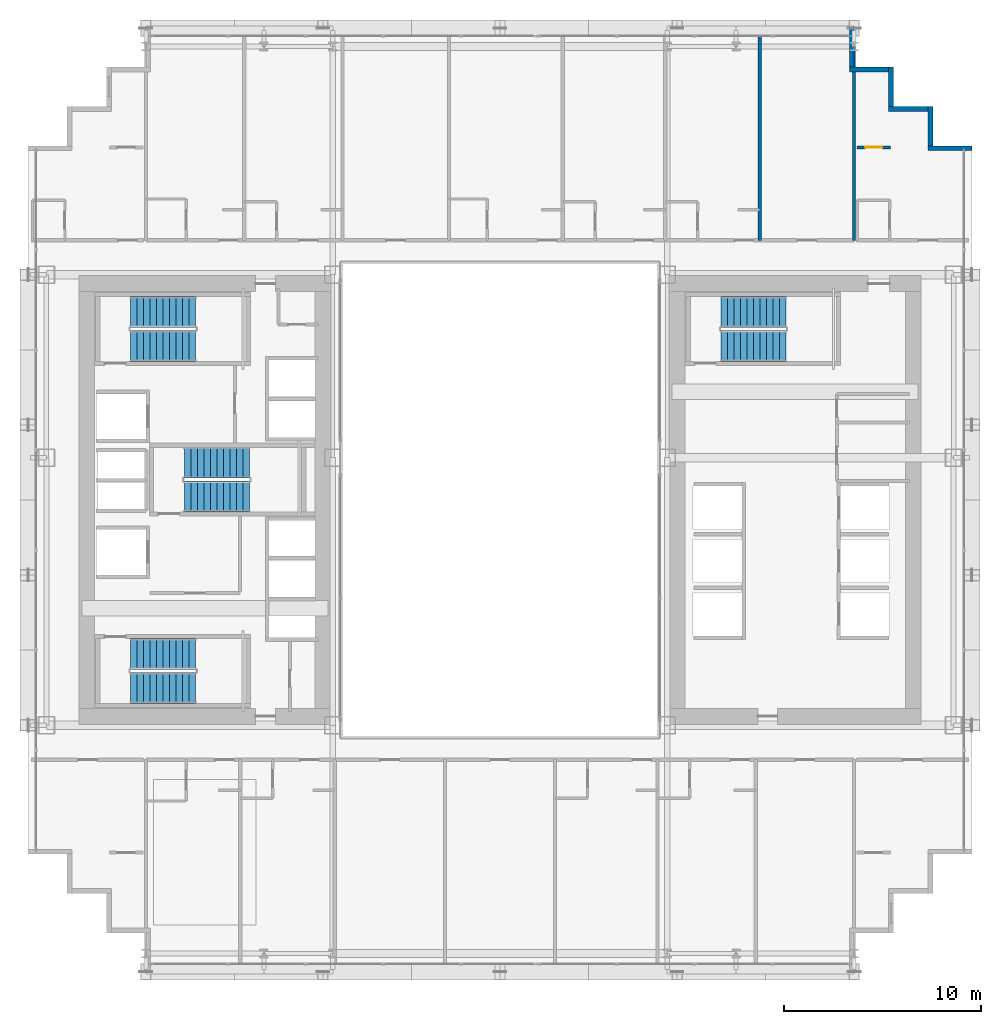
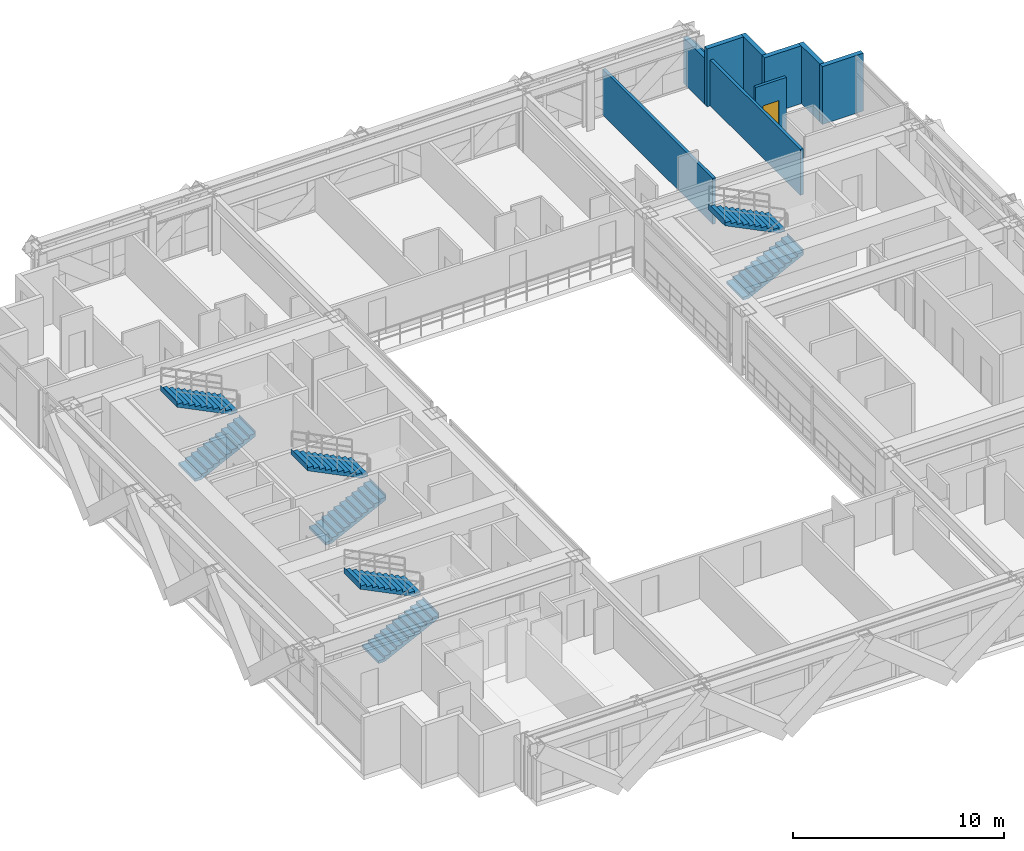
# One storey, part 37 of 41: 9 walls, 8 stair flights, 1 door, 1 opening, 4 elements without a shape of their own.
"""IFC4 building model written with IfcOpenShell, lengths in metres."""

from ifc_helpers import new_model, si_unit, direction, frame, frame_2d, origin, place, context, subcontext, project, spatial, polyline, rectangle, outline, extrude, source, transform, mapped, material, layer, layer_set, type_object, element, fill, aggregate, save


model = new_model("IFC4")

# Units and contexts
model_context = context("Model", 3, precision=1e-05, world=origin(), true_north=direction((0.0, 1.0)))
body_context = subcontext(model_context, "Body", "Model", "MODEL_VIEW")
ifc_project = project(units=[si_unit("LENGTHUNIT", "METRE"), si_unit("AREAUNIT", "SQUARE_METRE"), si_unit("VOLUMEUNIT", "CUBIC_METRE"), si_unit("PLANEANGLEUNIT", "RADIAN"), si_unit("MASSUNIT", "GRAM", prefix="KILO")], contexts=[model_context])

# Site, building, storey
site_placement = place(None, origin())
site = spatial("IfcSite", under=ifc_project, at=site_placement, CompositionType="ELEMENT")
building_placement = place(site_placement, origin())
building = spatial("IfcBuilding", under=site, at=building_placement, Name="Ocotamira Hotel", CompositionType="ELEMENT")
storey_placement = place(building_placement, frame((0.0, 0.0, 67.199951171875)))
storey = spatial("IfcBuildingStorey", under=building, at=storey_placement, Name="L16", CompositionType="ELEMENT", Elevation=67.199951171875)

# Walls
ifc_material_1 = material(Name="Precast concrete C45/55", Category="concrete")
ifc_layer_1 = layer(ifc_material_1, 0.25)
ifc_layer_set_1 = layer_set([ifc_layer_1], Name="Precast concrete C45/55")
wall_type_1 = type_object("IfcWallType", Name="WL-EXT-SER-250", PredefinedType="SOLIDWALL", material=ifc_layer_set_1)
wall_1_placement = place(storey_placement, frame((56.0, 43.875, 0.0), z_axis=(0.0, 0.0, 1.0), x_axis=(-1.0, 0.0, 0.0)))
element("IfcWall", 1, at=wall_1_placement, inside=storey, type_object=wall_type_1, Name="L16 Serrated Corner Wall 07", PredefinedType="SOLIDWALL", context=body_context, shape_type="SweptSolid", body=[
    extrude(rectangle(XDim=2.25, YDim=0.25, at=frame_2d((1.125, 0.0))), origin(), (0.0, 0.0, 1.0), 3.35009765625),
])
for number, where, z_axis, x_axis, name in (
    (2, (53.875, 44.0, 0.0), (0.0, 0.0, 1.0), (0.0, 1.0, 0.0), "L16 Serrated Corner Wall 08"),
    (3, (53.75, 45.875, 0.0), (0.0, 0.0, 1.0), (-1.0, 0.0, 0.0), "L16 Serrated Corner Wall 09"),
    (4, (51.875, 46.0, 0.0), (0.0, 0.0, 1.0), (0.0, 1.0, 0.0), "L16 Serrated Corner Wall 10"),
    (5, (51.75, 47.875, 0.0), (0.0, 0.0, 1.0), (-1.0, 0.0, 0.0), "L16 Serrated Corner Wall 11"),
):
    element("IfcWall", number, at=place(storey_placement, frame(where, z_axis=z_axis, x_axis=x_axis)), inside=storey, type_object=wall_type_1, Name=name, PredefinedType="SOLIDWALL", context=body_context, shape_type="SweptSolid", body=[
        extrude(rectangle(XDim=2.0, YDim=0.25, at=frame_2d((1.0, 0.0))), origin(), (0.0, 0.0, 1.0), 3.35009765625),
    ])
wall_2_placement = place(storey_placement, frame((49.875, 48.0, 0.0), z_axis=(0.0, 0.0, 1.0), x_axis=(0.0, 1.0, 0.0)))
element("IfcWall", 6, at=wall_2_placement, inside=storey, type_object=wall_type_1, Name="L16 Serrated Corner Wall 12", PredefinedType="SOLIDWALL", context=body_context, shape_type="SweptSolid", body=[
    extrude(rectangle(XDim=2.0, YDim=0.25, at=frame_2d((1.0, 0.0))), origin(), (0.0, 0.0, 1.0), 2.656982421875),
])

# Wall, opening, door
ifc_material_2 = material(Name="Acoustic double-layer fire gypsum board partition", Category="gypsum")
ifc_layer_2 = layer(ifc_material_2, 0.159912109375)
ifc_layer_set_2 = layer_set([ifc_layer_2], Name="Acoustic double-layer fire gypsum board partition")
wall_type_2 = type_object("IfcWallType", Name="WL-FIRE-160", PredefinedType="PARTITIONING", material=ifc_layer_set_2)
wall_3_placement = place(storey_placement, frame((50.14990234375, 43.919921875, 0.0), z_axis=(0.0, 0.0, 1.0), x_axis=(1.0, 0.0, 0.0)))
wall_3 = element("IfcWall", 7, at=wall_3_placement, inside=storey, type_object=wall_type_2, Name="L16 Interior Wall PW-L16-Z1D-CNE2-CW", PredefinedType="PARTITIONING", context=body_context, shape_type="SweptSolid", body=[
    extrude(rectangle(XDim=1.7001953125, YDim=0.159912109375, at=frame_2d((0.85009765625, 0.0))), origin(), (0.0, 0.0, 1.0), 3.35009765625),
])
opening_placement = place(wall_3_placement, frame((0.409912109375, 0.0, 0.0)))
opening = element("IfcOpeningElement", 8, at=opening_placement, cuts=wall_3, Name="Opening D-SV2", PredefinedType="OPENING", context=body_context, shape_type="SweptSolid", body=[
    extrude(rectangle(XDim=0.8798828125, YDim=2.14990234375, at=frame_2d((0.43994140625, 1.074951171875))), frame((0.0, 0.08984375, 0.0), z_axis=(0.0, -1.0, 0.0), x_axis=(1.0, 0.0, 0.0)), (0.0, 0.0, 1.0), 0.179931640625),
])
ifc_material_3 = material(Name="Fire-rated painted steel service door", Category="steel")
door_type = type_object("IfcDoorType", Name="DR-SERV-880", OperationType="NOTDEFINED", PredefinedType="DOOR", material=ifc_material_3)
shared_shape_1 = source(origin(), body_context, "Body", "SweptSolid", [
    extrude(rectangle(XDim=0.8798828125, YDim=2.14990234375, at=frame_2d((0.43994140625, 1.074951171875))), frame((0.0, 0.02490234375, 0.0), z_axis=(0.0, -1.0, 0.0), x_axis=(1.0, 0.0, 0.0)), (0.0, 0.0, 1.0), 0.050048828125),
])
door_placement = place(opening_placement, origin())
door = element("IfcDoor", 9, at=door_placement, inside=storey, type_object=door_type, Name="L16 Door ID-L16-Z1D-CNE2-CD [ID-L16-Z1D-CNE2-CD]", OperationType="SINGLE_SWING_LEFT", OverallHeight=2.14990234375, OverallWidth=0.8798828125, PredefinedType="DOOR", context=body_context, shape_type="MappedRepresentation", body=[
    mapped(shared_shape_1, transform((0.0, 0.0, 0.0), scale=1.0)),
])
fill(opening, door)

# Walls
ifc_material_4 = material(Name="Acoustic double-stud hospitality gypsum partition", Category="gypsum")
ifc_layer_3 = layer(ifc_material_4, 0.159912109375)
ifc_layer_set_3 = layer_set([ifc_layer_3], Name="Acoustic double-stud hospitality gypsum partition")
wall_type_3 = type_object("IfcWallType", Name="WL-PART-160", PredefinedType="PARTITIONING", material=ifc_layer_set_3)
for number, where, z_axis, x_axis, name in (
    (10, (50.0, 39.199951171875, 0.0), (0.0, 0.0, 1.0), (0.0, 1.0, 0.0), "L16 Interior Wall PW-L16-Z1DN-PWEND"),
    (11, (45.199951171875, 39.199951171875, 0.0), (0.0, 0.0, 1.0), (0.0, 1.0, 0.0), "L16 Interior Wall PW-L16-Z1DN-PW6"),
):
    element("IfcWall", number, at=place(storey_placement, frame(where, z_axis=z_axis, x_axis=x_axis)), inside=storey, type_object=wall_type_3, Name=name, PredefinedType="PARTITIONING", context=body_context, shape_type="SweptSolid", body=[
        extrude(rectangle(XDim=10.43994140625, YDim=0.159912109375, at=frame_2d((5.219970703125, 0.0))), origin(), (0.0, 0.0, 1.0), 2.656982421875),
    ])

# Stair, stair flights
ifc_material_5 = material(Name="Concrete C40/50", Category="concrete")
stair_type = type_object("IfcStairType", Name="ST-CORE-1560", PredefinedType="HALF_TURN_STAIR", material=ifc_material_5)
stair_1_placement = place(storey_placement, origin())
stair_1 = element("IfcStair", 12, at=stair_1_placement, inside=storey, type_object=stair_type, Name="L16 Exit Stair ST-1", PredefinedType="HALF_TURN_STAIR")
stair_flight_type = type_object("IfcStairFlightType", Name="STF-CORE-1560", PredefinedType="STRAIGHT", material=ifc_material_5)
shared_shape_2 = source(origin(), body_context, "Body", "SweptSolid", [
    extrude(outline(polyline([(-0.00390625, 0.0), (-0.00390625, 0.16357421875), (0.330078125, 0.16357421875), (0.330078125, 0.327392578125), (0.659912109375, 0.327392578125), (0.659912109375, 0.490966796875), (0.989990234375, 0.490966796875), (0.989990234375, 0.654541015625), (1.320068359375, 0.654541015625), (1.320068359375, 0.818115234375), (1.64990234375, 0.818115234375), (1.64990234375, 0.98193359375), (1.97998046875, 0.98193359375), (1.97998046875, 1.1455078125), (2.31005859375, 1.1455078125), (2.31005859375, 1.30908203125), (2.639892578125, 1.30908203125), (2.639892578125, 1.47265625), (2.969970703125, 1.47265625), (2.969970703125, 1.636474609375), (3.300048828125, 1.636474609375), (3.300048828125, 1.800048828125), (3.303955078125, 1.800048828125), (3.303955078125, 1.468994140625), (0.33740234375, 0.0), (-0.00390625, 0.0)])), frame((0.0, 0.780029296875, 0.0), z_axis=(0.0, -1.0, 0.0), x_axis=(1.0, 0.0, 0.0)), (0.0, 0.0, 1.0), 1.56005859375),
])
stair_flight_1_placement = place(storey_placement, frame((13.22998046875, 16.449951171875, 0.0), z_axis=(0.0, 0.0, 1.0), x_axis=(1.0, 0.0, 0.0)))
stair_flight_1 = element("IfcStairFlight", 13, at=stair_flight_1_placement, type_object=stair_flight_type, Name="ST-1 flight 1", NumberOfRisers=11, NumberOfTreads=10, PredefinedType="STRAIGHT", RiserHeight=0.163636364, TreadLength=0.33, context=body_context, shape_type="MappedRepresentation", body=[
    mapped(shared_shape_2, transform((0.0, 0.0, 0.0), scale=1.0)),
])
stair_flight_2_placement = place(storey_placement, frame((16.530029296875, 18.169921875, 1.800048828125), z_axis=(0.0, 0.0, 1.0), x_axis=(-1.0, 0.0, 0.0)))
stair_flight_2 = element("IfcStairFlight", 14, at=stair_flight_2_placement, type_object=stair_flight_type, Name="ST-1 flight 2", NumberOfRisers=11, NumberOfTreads=10, PredefinedType="STRAIGHT", RiserHeight=0.163636364, TreadLength=0.33, context=body_context, shape_type="MappedRepresentation", body=[
    mapped(shared_shape_2, transform((0.0, 0.0, 0.0), scale=1.0)),
])
aggregate(stair_1, [stair_flight_1, stair_flight_2])

stair_2_placement = place(storey_placement, origin())
stair_2 = element("IfcStair", 15, at=stair_2_placement, inside=storey, type_object=stair_type, Name="L16 Exit Stair ST-2", PredefinedType="HALF_TURN_STAIR")
stair_flight_3_placement = place(storey_placement, frame((13.22998046875, 33.830078125, 0.0), z_axis=(0.0, 0.0, 1.0), x_axis=(1.0, 0.0, 0.0)))
stair_flight_3 = element("IfcStairFlight", 16, at=stair_flight_3_placement, type_object=stair_flight_type, Name="ST-2 flight 1", NumberOfRisers=11, NumberOfTreads=10, PredefinedType="STRAIGHT", RiserHeight=0.163636364, TreadLength=0.33, context=body_context, shape_type="MappedRepresentation", body=[
    mapped(shared_shape_2, transform((0.0, 0.0, 0.0), scale=1.0)),
])
stair_flight_4_placement = place(storey_placement, frame((16.530029296875, 35.550048828125, 1.800048828125), z_axis=(0.0, 0.0, 1.0), x_axis=(-1.0, 0.0, 0.0)))
stair_flight_4 = element("IfcStairFlight", 17, at=stair_flight_4_placement, type_object=stair_flight_type, Name="ST-2 flight 2", NumberOfRisers=11, NumberOfTreads=10, PredefinedType="STRAIGHT", RiserHeight=0.163636364, TreadLength=0.33, context=body_context, shape_type="MappedRepresentation", body=[
    mapped(shared_shape_2, transform((0.0, 0.0, 0.0), scale=1.0)),
])
aggregate(stair_2, [stair_flight_3, stair_flight_4])

stair_3_placement = place(storey_placement, origin())
stair_3 = element("IfcStair", 18, at=stair_3_placement, inside=storey, type_object=stair_type, Name="L16 Exit Stair ST-3", PredefinedType="HALF_TURN_STAIR")
stair_flight_5_placement = place(storey_placement, frame((15.9599609375, 26.179931640625, 0.0), z_axis=(0.0, 0.0, 1.0), x_axis=(1.0, 0.0, 0.0)))
stair_flight_5 = element("IfcStairFlight", 19, at=stair_flight_5_placement, type_object=stair_flight_type, Name="ST-3 flight 1", NumberOfRisers=11, NumberOfTreads=10, PredefinedType="STRAIGHT", RiserHeight=0.163636364, TreadLength=0.33, context=body_context, shape_type="MappedRepresentation", body=[
    mapped(shared_shape_2, transform((0.0, 0.0, 0.0), scale=1.0)),
])
stair_flight_6_placement = place(storey_placement, frame((19.260009765625, 27.89990234375, 1.800048828125), z_axis=(0.0, 0.0, 1.0), x_axis=(-1.0, 0.0, 0.0)))
stair_flight_6 = element("IfcStairFlight", 20, at=stair_flight_6_placement, type_object=stair_flight_type, Name="ST-3 flight 2", NumberOfRisers=11, NumberOfTreads=10, PredefinedType="STRAIGHT", RiserHeight=0.163636364, TreadLength=0.33, context=body_context, shape_type="MappedRepresentation", body=[
    mapped(shared_shape_2, transform((0.0, 0.0, 0.0), scale=1.0)),
])
aggregate(stair_3, [stair_flight_5, stair_flight_6])

stair_4_placement = place(storey_placement, origin())
stair_4 = element("IfcStair", 21, at=stair_4_placement, inside=storey, type_object=stair_type, Name="L16 Exit Stair ST-4", PredefinedType="HALF_TURN_STAIR")
stair_flight_7_placement = place(storey_placement, frame((43.22998046875, 33.830078125, 0.0), z_axis=(0.0, 0.0, 1.0), x_axis=(1.0, 0.0, 0.0)))
stair_flight_7 = element("IfcStairFlight", 22, at=stair_flight_7_placement, type_object=stair_flight_type, Name="ST-4 flight 1", NumberOfRisers=11, NumberOfTreads=10, PredefinedType="STRAIGHT", RiserHeight=0.163636364, TreadLength=0.33, context=body_context, shape_type="MappedRepresentation", body=[
    mapped(shared_shape_2, transform((0.0, 0.0, 0.0), scale=1.0)),
])
stair_flight_8_placement = place(storey_placement, frame((46.530029296875, 35.550048828125, 1.800048828125), z_axis=(0.0, 0.0, 1.0), x_axis=(-1.0, 0.0, 0.0)))
stair_flight_8 = element("IfcStairFlight", 23, at=stair_flight_8_placement, type_object=stair_flight_type, Name="ST-4 flight 2", NumberOfRisers=11, NumberOfTreads=10, PredefinedType="STRAIGHT", RiserHeight=0.163636364, TreadLength=0.33, context=body_context, shape_type="MappedRepresentation", body=[
    mapped(shared_shape_2, transform((0.0, 0.0, 0.0), scale=1.0)),
])
aggregate(stair_4, [stair_flight_7, stair_flight_8])

save(model, "model.ifc")
